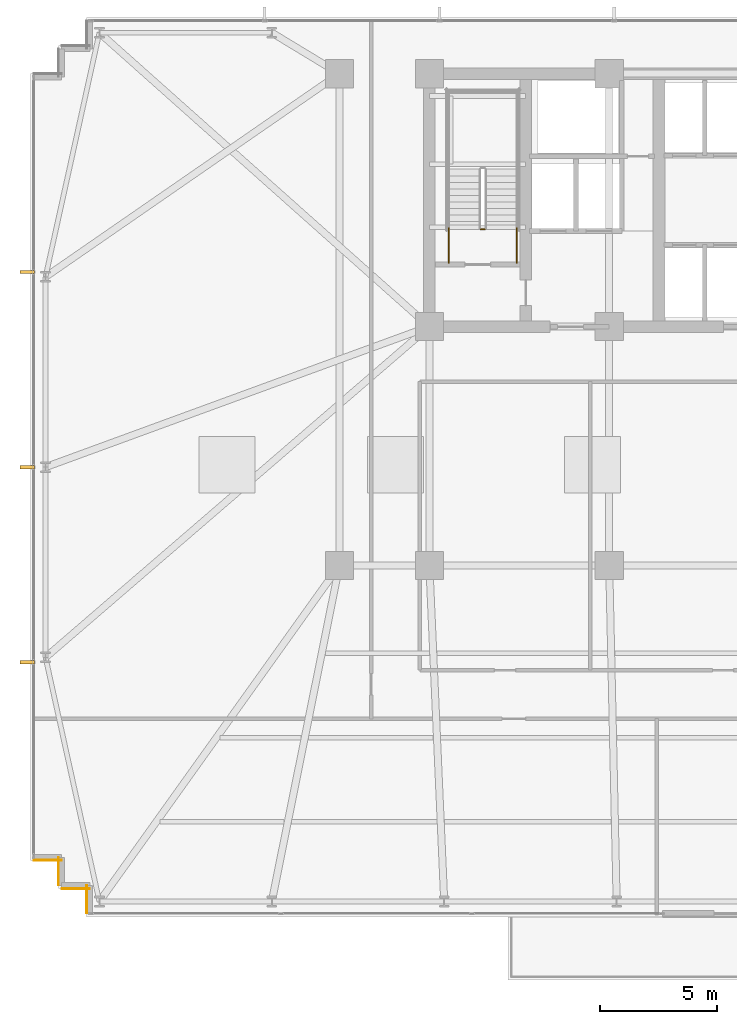
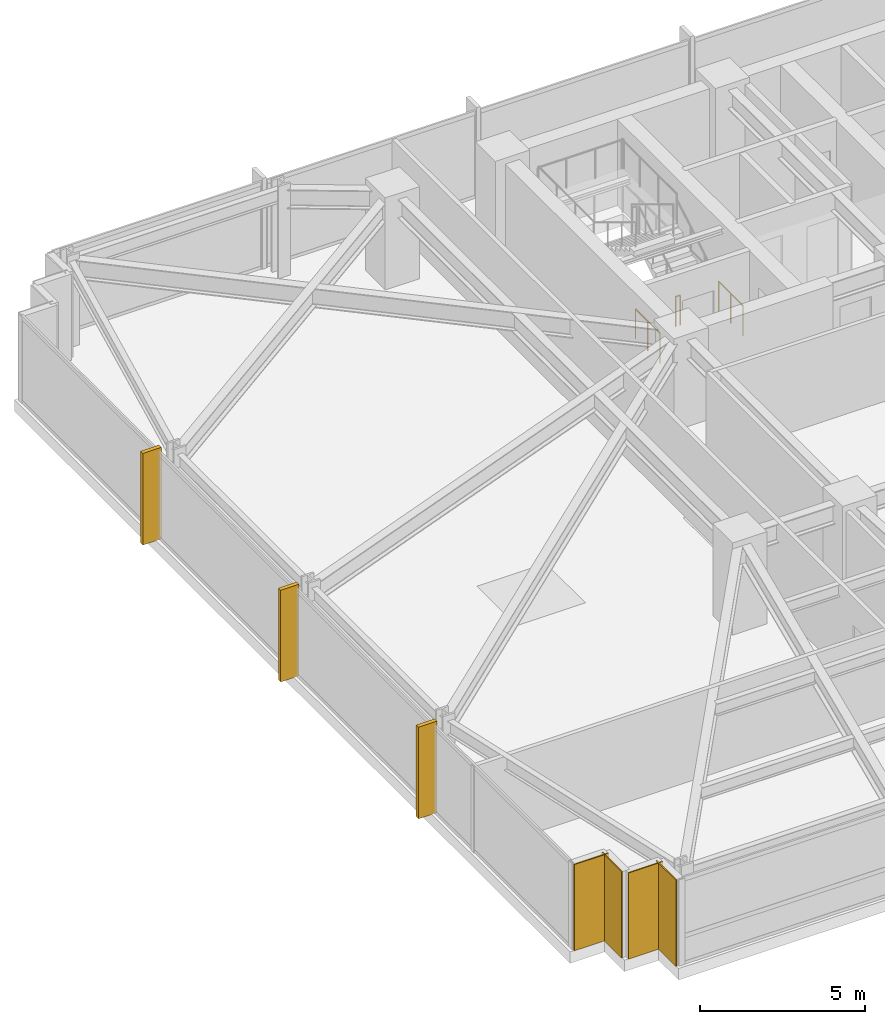
# One storey, part 26 of 31: 4 coverings, 3 railings, 3 shading devices.
"""IFC4 building model written with IfcOpenShell, lengths in metres."""

from ifc_helpers import new_model, si_unit, direction, frame, frame_2d, origin, origin_2d, place, context, subcontext, project, spatial, rectangle, circle, extrude, material, layer, layer_set, type_object, element, save


model = new_model("IFC4")

# Units and contexts
model_context = context("Model", 3, precision=1e-05, world=origin(), true_north=direction((0.0, 1.0)))
body_context = subcontext(model_context, "Body", "Model", "MODEL_VIEW")
ifc_project = project(units=[si_unit("LENGTHUNIT", "METRE"), si_unit("AREAUNIT", "SQUARE_METRE"), si_unit("VOLUMEUNIT", "CUBIC_METRE"), si_unit("PLANEANGLEUNIT", "RADIAN"), si_unit("MASSUNIT", "GRAM", prefix="KILO")], contexts=[model_context])

# Site, building, storey
site_placement = place(None, origin())
site = spatial("IfcSite", under=ifc_project, at=site_placement, CompositionType="ELEMENT")
building_placement = place(site_placement, origin())
building = spatial("IfcBuilding", under=site, at=building_placement, Name="Yelkora Congress Tower", CompositionType="ELEMENT")
storey_placement = place(building_placement, frame((0.0, 0.0, 30.39990234375)))
storey = spatial("IfcBuildingStorey", under=building, at=storey_placement, Name="L06", CompositionType="ELEMENT", Elevation=30.39990234375)

# Coverings
ifc_material_1 = material(Name="Anatolian bush-hammered limestone", Category="masonry")
ifc_layer_1 = layer(ifc_material_1, 0.0400390625)
ifc_layer_set_1 = layer_set([ifc_layer_1], Name="Anatolian bush-hammered limestone")
covering_type = type_object("IfcCoveringType", Name="COV-CLAD-SPANDREL-40", PredefinedType="CLADDING", material=ifc_layer_set_1)
for number, where, z_axis, x_axis, name in (
    (1, (8.405029296875, 10.340087890625, 0.0), (0.0, 0.0, 1.0), (0.0, 1.0, 0.0), "L06 Anatolian Limestone Cladding EW-L06-SR01"),
    (2, (8.5400390625, 11.405029296875, 0.0), (0.0, 0.0, 1.0), (-1.0, 0.0, 0.0), "L06 Anatolian Limestone Cladding EW-L06-SR02"),
    (3, (7.205078125, 11.5400390625, 0.0), (0.0, 0.0, 1.0), (0.0, 1.0, 0.0), "L06 Anatolian Limestone Cladding EW-L06-SR03"),
):
    element("IfcCovering", number, at=place(storey_placement, frame(where, z_axis=z_axis, x_axis=x_axis)), inside=storey, type_object=covering_type, Name=name, PredefinedType="CLADDING", context=body_context, shape_type="SweptSolid", body=[
        extrude(rectangle(XDim=1.199951171875, YDim=0.0400390625, at=frame_2d((0.60009765625, 0.0))), origin(), (0.0, 0.0, 1.0), 3.18017578125),
    ])
covering_placement = place(storey_placement, frame((7.340087890625, 12.60498046875, 0.0), z_axis=(0.0, 0.0, 1.0), x_axis=(-1.0, 0.0, 0.0)))
element("IfcCovering", 4, at=covering_placement, inside=storey, type_object=covering_type, Name="L06 Anatolian Limestone Cladding EW-L06-SR04", PredefinedType="CLADDING", context=body_context, shape_type="SweptSolid", body=[
    extrude(rectangle(XDim=1.2001953125, YDim=0.0400390625, at=frame_2d((0.60009765625, 0.0))), origin(), (0.0, 0.0, 1.0), 3.18017578125),
])

# Railings
ifc_material_2 = material(Name="Painted galvanised steel stair well guard with vertical infill", Category="steel")
ifc_layer_2 = layer(ifc_material_2, 0.06005859375)
ifc_layer_set_2 = layer_set([ifc_layer_2], Name="Painted galvanised steel stair well guard with vertical infill")
railing_type = type_object("IfcRailingType", Name="RAIL-STAIR-GUARD-1120", PredefinedType="GUARDRAIL", material=ifc_layer_set_2)
railing_placement = place(storey_placement, frame((25.39990234375, 39.550048828125, 0.0)))
element("IfcRailing", 5, at=railing_placement, inside=storey, type_object=railing_type, Name="ST-01 L06 Stair Well Guardrail 7", PredefinedType="GUARDRAIL", context=body_context, shape_type="SweptSolid", body=[
    extrude(circle(Radius=0.02392578125, at=origin_2d()), frame((0.0, 0.0, 1.09619140625), z_axis=(-1.0, 0.0, 0.0), x_axis=(0.0, -1.0, 0.0)), (0.0, 0.0, 1.0), 0.159912109375),
    extrude(circle(Radius=0.02099609375, at=origin_2d()), origin(), (0.0, 0.0, 1.0), 1.072021484375),
    extrude(circle(Radius=0.02099609375, at=origin_2d()), frame((-0.159912109375, 0.0, 0.0)), (0.0, 0.0, 1.0), 1.072021484375),
])
for number, where, name in (
    (6, (26.77001953125, 38.1201171875, 0.0), "ST-01 L06 Stair Well Guardrail 8"),
    (7, (23.8701171875, 38.1201171875, 0.0), "ST-01 L06 Stair Well Guardrail 9"),
):
    element("IfcRailing", number, at=place(storey_placement, frame(where)), inside=storey, type_object=railing_type, Name=name, PredefinedType="GUARDRAIL", context=body_context, shape_type="SweptSolid", body=[
        extrude(circle(Radius=0.02392578125, at=origin_2d()), frame((0.0, 0.0, 1.09619140625), z_axis=(0.0, 1.0, 0.0), x_axis=(-1.0, 0.0, 0.0)), (0.0, 0.0, 1.0), 1.47998046875),
        extrude(circle(Radius=0.02099609375, at=origin_2d()), origin(), (0.0, 0.0, 1.0), 1.072021484375),
        extrude(circle(Radius=0.02099609375, at=origin_2d()), frame((0.0, 0.739990234375, 0.0)), (0.0, 0.0, 1.0), 1.072021484375),
        extrude(circle(Radius=0.02099609375, at=origin_2d()), frame((0.0, 1.47998046875, 0.0)), (0.0, 0.0, 1.0), 1.072021484375),
    ])

# Shading devices
ifc_material_3 = material(Name="Champagne anodised aluminium", Category="aluminium")
ifc_layer_3 = layer(ifc_material_3, 3.39990234375)
ifc_layer_set_3 = layer_set([ifc_layer_3], Name="Champagne anodised aluminium")
shading_device_type = type_object("IfcShadingDeviceType", Name="SHD-FIN-ALU-640", PredefinedType="USERDEFINED", material=ifc_layer_set_3)
for number, where, z_axis, x_axis, name in (
    (8, (5.8798828125, 21.070068359375, -0.02978515625), (0.0, 0.0, 1.0), (0.0, 1.0, 0.0), "L06 Vertical Anodised Solar Fin 5-1"),
    (9, (5.8798828125, 29.39990234375, -0.02978515625), (0.0, 0.0, 1.0), (0.0, 1.0, 0.0), "L06 Vertical Anodised Solar Fin 5-2"),
    (10, (5.8798828125, 37.72998046875, -0.02978515625), (0.0, 0.0, 1.0), (0.0, 1.0, 0.0), "L06 Vertical Anodised Solar Fin 5-3"),
):
    element("IfcShadingDevice", number, at=place(storey_placement, frame(where, z_axis=z_axis, x_axis=x_axis)), inside=storey, type_object=shading_device_type, Name=name, ObjectType="FIN", PredefinedType="USERDEFINED", context=body_context, shape_type="SweptSolid", body=[
        extrude(rectangle(XDim=0.139892578125, YDim=0.639892578125, at=origin_2d()), origin(), (0.0, 0.0, 1.0), 3.3798828125),
    ])

save(model, "model.ifc")
